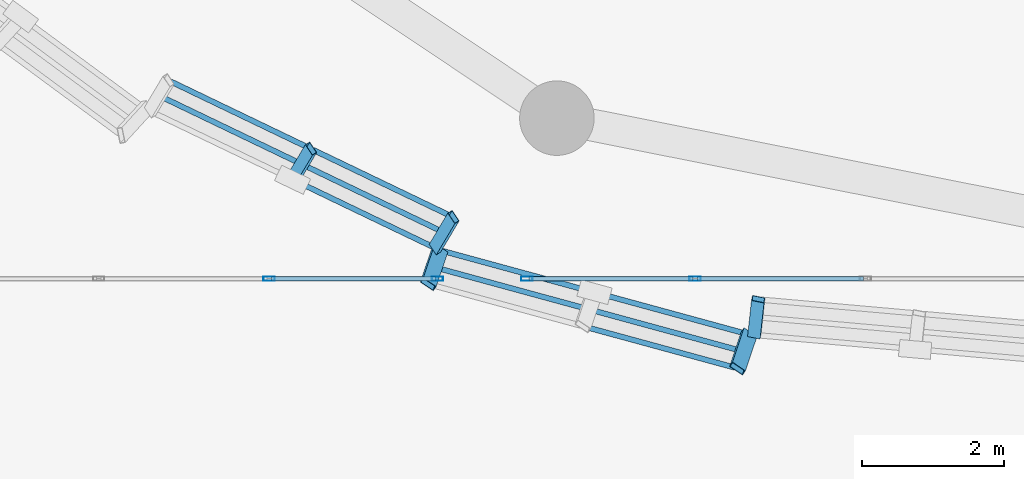
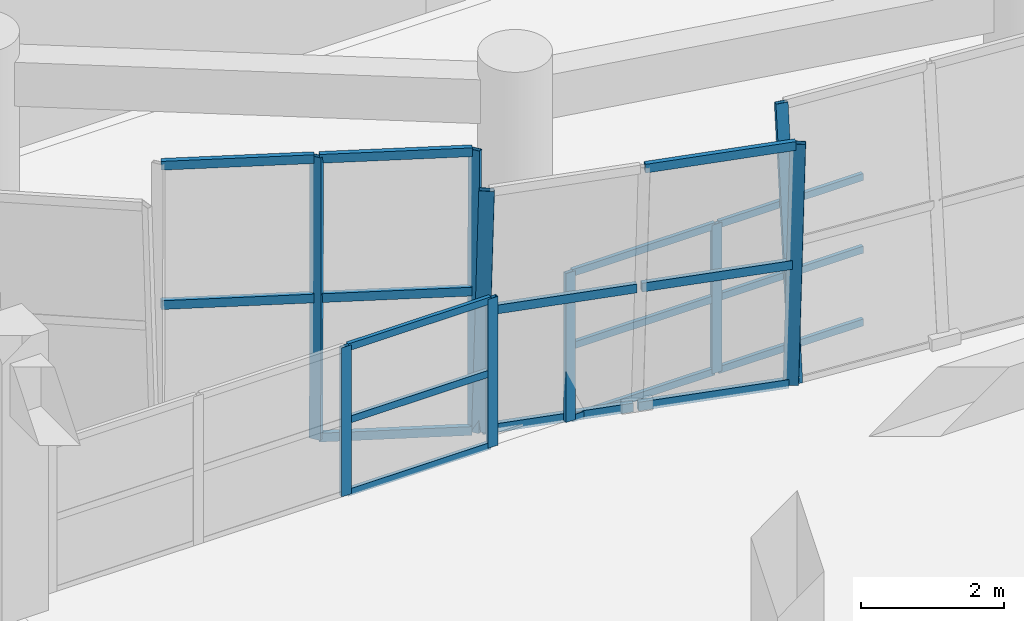
# One storey, part 20 of 72: 28 members, 5 elements without a shape of their own.
"""IFC4 building model written with IfcOpenShell, lengths in metres."""

from ifc_helpers import new_model, si_unit, direction, frame, origin, origin_2d, place, context, subcontext, project, spatial, hollow_rectangle, extrude, material, material_profile, profile_set, type_object, element, aggregate, save


model = new_model("IFC4")

# Units and contexts
model_context = context("Model", 3, precision=1e-05, world=origin(), true_north=direction((0.0, 1.0)))
body_context = subcontext(model_context, "Body", "Model", "MODEL_VIEW")
ifc_project = project(units=[si_unit("LENGTHUNIT", "METRE"), si_unit("AREAUNIT", "SQUARE_METRE"), si_unit("VOLUMEUNIT", "CUBIC_METRE"), si_unit("PLANEANGLEUNIT", "RADIAN"), si_unit("MASSUNIT", "GRAM", prefix="KILO")], contexts=[model_context])

# Site, building, storey
site_placement = place(None, origin())
site = spatial("IfcSite", under=ifc_project, at=site_placement, CompositionType="ELEMENT")
building_placement = place(site_placement, origin())
building = spatial("IfcBuilding", under=site, at=building_placement, Name="Korsvaeld Concert Hall", CompositionType="ELEMENT")
storey_placement = place(building_placement, origin())
storey = spatial("IfcBuildingStorey", under=building, at=storey_placement, Name="L00", CompositionType="ELEMENT", Elevation=0.0)

# Curtain wall, members
ifc_material_1 = material(Name="Anodised bronze and ceramic-fritted safety glass", Category="glass")
curtain_wall_type_1 = type_object("IfcCurtainWallType", Name="CW-TYPE-12", PredefinedType="USERDEFINED", material=ifc_material_1)
curtain_wall_1_placement = place(storey_placement, origin())
curtain_wall_1 = element("IfcCurtainWall", 1, at=curtain_wall_1_placement, inside=storey, type_object=curtain_wall_type_1, Name="Glazed foyer acoustic screen L00-20", ObjectType="CURTAIN WALL", PredefinedType="USERDEFINED")
ifc_material_2 = material(Name="Anodised architectural bronze aluminium", Category="aluminium")
ifc_material_profile_1 = material_profile(ifc_material_2, hollow_rectangle(XDim=0.06005859375, YDim=0.159912109375, WallThickness=0.00390625, at=origin_2d()), Name="CWM 160x60x4")
ifc_profile_set_1 = profile_set([ifc_material_profile_1], Name="Anodised architectural bronze aluminium")
member_type_1 = type_object("IfcMemberType", Name="CWM-ALUM-160x60", PredefinedType="MULLION", material=ifc_profile_set_1)
member_1_placement = place(storey_placement, frame((72.60009765625, 43.199951171875, 0.0), z_axis=(0.0, 0.0, 1.0), x_axis=(0.0, 1.0, 0.0)))
member_1 = element("IfcMember", 2, at=member_1_placement, type_object=member_type_1, Name="CW-12 mullion 3", PredefinedType="MULLION", context=body_context, shape_type="SweptSolid", body=[
    extrude(hollow_rectangle(XDim=0.06005859375, YDim=0.159912109375, WallThickness=0.00390625, at=origin_2d()), origin(), (0.0, 0.0, 1.0), 2.550048828125),
])
member_2_placement = place(storey_placement, frame((74.969970703125, 43.199951171875, 0.0), z_axis=(0.0, 0.0, 1.0), x_axis=(0.0, 1.0, 0.0)))
member_2 = element("IfcMember", 3, at=member_2_placement, type_object=member_type_1, Name="CW-12 mullion 4", PredefinedType="MULLION", context=body_context, shape_type="SweptSolid", body=[
    extrude(hollow_rectangle(XDim=0.06005859375, YDim=0.159912109375, WallThickness=0.00390625, at=origin_2d()), origin(), (0.0, 0.0, 1.0), 2.550048828125),
])

curtain_wall_type_2 = type_object("IfcCurtainWallType", Name="CW-TYPE-13", PredefinedType="USERDEFINED", material=ifc_material_1)
curtain_wall_2_placement = place(storey_placement, origin())
curtain_wall_2 = element("IfcCurtainWall", 4, at=curtain_wall_2_placement, inside=storey, type_object=curtain_wall_type_2, Name="Glazed foyer acoustic screen L00-21", ObjectType="CURTAIN WALL", PredefinedType="USERDEFINED")
member_3_placement = place(storey_placement, frame((76.22998046875, 43.199951171875, 0.0), z_axis=(0.0, 0.0, 1.0), x_axis=(0.0, 1.0, 0.0)))
member_3 = element("IfcMember", 5, at=member_3_placement, type_object=member_type_1, Name="CW-13 mullion 1", PredefinedType="MULLION", context=body_context, shape_type="SweptSolid", body=[
    extrude(hollow_rectangle(XDim=0.06005859375, YDim=0.159912109375, WallThickness=0.00390625, at=origin_2d()), origin(), (0.0, 0.0, 1.0), 2.550048828125),
])
member_4_placement = place(storey_placement, frame((78.60009765625, 43.199951171875, 0.0), z_axis=(0.0, 0.0, 1.0), x_axis=(0.0, 1.0, 0.0)))
member_4 = element("IfcMember", 6, at=member_4_placement, type_object=member_type_1, Name="CW-13 mullion 2", PredefinedType="MULLION", context=body_context, shape_type="SweptSolid", body=[
    extrude(hollow_rectangle(XDim=0.06005859375, YDim=0.159912109375, WallThickness=0.00390625, at=origin_2d()), origin(), (0.0, 0.0, 1.0), 2.550048828125),
])

curtain_wall_type_3 = type_object("IfcCurtainWallType", Name="CW-TYPE-06", PredefinedType="USERDEFINED", material=ifc_material_1)
curtain_wall_3_placement = place(storey_placement, origin())
curtain_wall_3 = element("IfcCurtainWall", 7, at=curtain_wall_3_placement, inside=storey, type_object=curtain_wall_type_3, Name="Crystal curtain-wall facet L00 F22", ObjectType="CURTAIN WALL", PredefinedType="USERDEFINED")
ifc_material_profile_2 = material_profile(ifc_material_2, hollow_rectangle(XDim=0.074951171875, YDim=0.179931640625, WallThickness=0.0048828125, at=origin_2d()), Name="CWM 180x75x5")
ifc_profile_set_2 = profile_set([ifc_material_profile_2], Name="Anodised architectural bronze aluminium")
member_type_2 = type_object("IfcMemberType", Name="CWM-BRONZE-180x75", PredefinedType="MULLION", material=ifc_profile_set_2)
member_5_placement = place(storey_placement, frame((72.9287109375, 44.59326171875, 0.0), z_axis=(0.057881578452, 0.097299528979, 0.993570593635), x_axis=(-0.829903337454, -0.548492598396, 0.102060374227)))
member_5 = element("IfcMember", 8, at=member_5_placement, type_object=member_type_2, Name="CW-CRYS-L00-F22 crystal mullion 2", PredefinedType="MULLION", context=body_context, shape_type="SweptSolid", body=[
    extrude(hollow_rectangle(XDim=0.074951171875, YDim=0.179931640625, WallThickness=0.0048828125, at=origin_2d()), origin(), (0.0, 0.0, 1.0), 4.509033203125),
])
member_6_placement = place(storey_placement, frame((74.934814453125, 43.630126953125, 0.0), z_axis=(0.057881883309, 0.097245895625, 0.993575826683), x_axis=(-0.830039893738, -0.548293630811, 0.102018964978)))
member_6 = element("IfcMember", 9, at=member_6_placement, type_object=member_type_2, Name="CW-CRYS-L00-F22 crystal mullion 3", PredefinedType="MULLION", context=body_context, shape_type="SweptSolid", body=[
    extrude(hollow_rectangle(XDim=0.074951171875, YDim=0.179931640625, WallThickness=0.0048828125, at=origin_2d()), origin(), (0.0, 0.0, 1.0), 4.509033203125),
])

# Curtain wall, member
curtain_wall_type_4 = type_object("IfcCurtainWallType", Name="CW-TYPE-08", PredefinedType="USERDEFINED", material=ifc_material_1)
curtain_wall_4_placement = place(storey_placement, origin())
curtain_wall_4 = element("IfcCurtainWall", 10, at=curtain_wall_4_placement, inside=storey, type_object=curtain_wall_type_4, Name="Crystal curtain-wall facet L00 F24", ObjectType="CURTAIN WALL", PredefinedType="USERDEFINED")
member_7_placement = place(storey_placement, frame((79.433349609375, 42.404052734375, 0.0), z_axis=(0.012291079238, 0.112514813463, 0.993574026493), x_axis=(-0.195096578043, -0.974282401247, 0.112743637766)))
member_7 = element("IfcMember", 11, at=member_7_placement, type_object=member_type_2, Name="CW-CRYS-L00-F24 crystal mullion 1", PredefinedType="MULLION", context=body_context, shape_type="SweptSolid", body=[
    extrude(hollow_rectangle(XDim=0.074951171875, YDim=0.179931640625, WallThickness=0.0048828125, at=origin_2d()), origin(), (0.0, 0.0, 1.0), 4.509033203125),
])
aggregate(curtain_wall_4, [member_7])

# Curtain wall, members
curtain_wall_type_5 = type_object("IfcCurtainWallType", Name="CW-TYPE-07", PredefinedType="USERDEFINED", material=ifc_material_1)
curtain_wall_5_placement = place(storey_placement, origin())
curtain_wall_5 = element("IfcCurtainWall", 12, at=curtain_wall_5_placement, inside=storey, type_object=curtain_wall_type_5, Name="Crystal curtain-wall facet L00 F23", ObjectType="CURTAIN WALL", PredefinedType="USERDEFINED")
ifc_material_profile_3 = material_profile(ifc_material_2, hollow_rectangle(XDim=0.074951171875, YDim=0.219970703125, WallThickness=0.006103515625, at=origin_2d()), Name="CWM 220x75x6")
ifc_profile_set_3 = profile_set([ifc_material_profile_3], Name="Anodised architectural bronze aluminium")
member_type_3 = type_object("IfcMemberType", Name="CWM-BRONZE-220x75", PredefinedType="MULLION", material=ifc_profile_set_3)
member_8_placement = place(storey_placement, frame((75.0048828125, 43.60400390625, 0.0), z_axis=(-0.036223366426, -0.107262315231, 0.993570663544), x_axis=(0.555805308388, 0.824105020106, 0.109230833577)))
member_8 = element("IfcMember", 13, at=member_8_placement, type_object=member_type_3, Name="CW-CRYS-L00-F23 crystal mullion 1", PredefinedType="MULLION", context=body_context, shape_type="SweptSolid", body=[
    extrude(hollow_rectangle(XDim=0.074951171875, YDim=0.219970703125, WallThickness=0.006103515625, at=origin_2d()), origin(), (0.0, 0.0, 1.0), 4.509033203125),
])
member_9_placement = place(storey_placement, frame((79.359619140625, 42.417236328125, 0.0), z_axis=(-0.036223366426, -0.107262315231, 0.993570663544), x_axis=(0.555805308388, 0.824105020106, 0.109230833577)))
member_9 = element("IfcMember", 14, at=member_9_placement, type_object=member_type_3, Name="CW-CRYS-L00-F23 crystal mullion 3", PredefinedType="MULLION", context=body_context, shape_type="SweptSolid", body=[
    extrude(hollow_rectangle(XDim=0.074951171875, YDim=0.219970703125, WallThickness=0.006103515625, at=origin_2d()), origin(), (0.0, 0.0, 1.0), 4.509033203125),
])

# Member
ifc_material_profile_4 = material_profile(ifc_material_2, hollow_rectangle(XDim=0.06005859375, YDim=0.1201171875, WallThickness=0.00390625, at=origin_2d()), Name="CWT 120x60x4")
ifc_profile_set_4 = profile_set([ifc_material_profile_4], Name="Anodised architectural bronze aluminium")
member_type_4 = type_object("IfcMemberType", Name="CWT-ALUM-120x60", PredefinedType="USERDEFINED", material=ifc_profile_set_4)
member_10_placement = place(storey_placement, frame((72.6298828125, 43.199951171875, 0.030029296875), z_axis=(1.0, 0.0, 0.0), x_axis=(0.0, 1.0, 0.0)))
member_10 = element("IfcMember", 15, at=member_10_placement, type_object=member_type_4, Name="CW-12 transom 3.1", ObjectType="TRANSOM", PredefinedType="USERDEFINED", context=body_context, shape_type="SweptSolid", body=[
    extrude(hollow_rectangle(XDim=0.06005859375, YDim=0.1201171875, WallThickness=0.00390625, at=origin_2d()), origin(), (0.0, 0.0, 1.0), 2.31005859375),
])

member_11_placement = place(storey_placement, frame((72.6298828125, 43.199951171875, 1.27490234375), z_axis=(1.0, 0.0, 0.0), x_axis=(0.0, 1.0, 0.0)))
member_11 = element("IfcMember", 16, at=member_11_placement, type_object=member_type_4, Name="CW-12 transom 3.2", ObjectType="TRANSOM", PredefinedType="USERDEFINED", context=body_context, shape_type="SweptSolid", body=[
    extrude(hollow_rectangle(XDim=0.06005859375, YDim=0.1201171875, WallThickness=0.00390625, at=origin_2d()), origin(), (0.0, 0.0, 1.0), 2.31005859375),
])

member_12_placement = place(storey_placement, frame((72.6298828125, 43.199951171875, 2.52001953125), z_axis=(1.0, 0.0, 0.0), x_axis=(0.0, 1.0, 0.0)))
member_12 = element("IfcMember", 17, at=member_12_placement, type_object=member_type_4, Name="CW-12 transom 3.3", ObjectType="TRANSOM", PredefinedType="USERDEFINED", context=body_context, shape_type="SweptSolid", body=[
    extrude(hollow_rectangle(XDim=0.06005859375, YDim=0.1201171875, WallThickness=0.00390625, at=origin_2d()), origin(), (0.0, 0.0, 1.0), 2.31005859375),
])

aggregate(curtain_wall_1, [member_1, member_2, member_10, member_11, member_12])

member_13_placement = place(storey_placement, frame((76.260009765625, 43.199951171875, 0.030029296875), z_axis=(1.0, 0.0, 0.0), x_axis=(0.0, 1.0, 0.0)))
member_13 = element("IfcMember", 18, at=member_13_placement, type_object=member_type_4, Name="CW-13 transom 1.1", ObjectType="TRANSOM", PredefinedType="USERDEFINED", context=body_context, shape_type="SweptSolid", body=[
    extrude(hollow_rectangle(XDim=0.06005859375, YDim=0.1201171875, WallThickness=0.00390625, at=origin_2d()), origin(), (0.0, 0.0, 1.0), 2.31005859375),
])

member_14_placement = place(storey_placement, frame((76.260009765625, 43.199951171875, 1.27490234375), z_axis=(1.0, 0.0, 0.0), x_axis=(0.0, 1.0, 0.0)))
member_14 = element("IfcMember", 19, at=member_14_placement, type_object=member_type_4, Name="CW-13 transom 1.2", ObjectType="TRANSOM", PredefinedType="USERDEFINED", context=body_context, shape_type="SweptSolid", body=[
    extrude(hollow_rectangle(XDim=0.06005859375, YDim=0.1201171875, WallThickness=0.00390625, at=origin_2d()), origin(), (0.0, 0.0, 1.0), 2.31005859375),
])

member_15_placement = place(storey_placement, frame((76.260009765625, 43.199951171875, 2.52001953125), z_axis=(1.0, 0.0, 0.0), x_axis=(0.0, 1.0, 0.0)))
member_15 = element("IfcMember", 20, at=member_15_placement, type_object=member_type_4, Name="CW-13 transom 1.3", ObjectType="TRANSOM", PredefinedType="USERDEFINED", context=body_context, shape_type="SweptSolid", body=[
    extrude(hollow_rectangle(XDim=0.06005859375, YDim=0.1201171875, WallThickness=0.00390625, at=origin_2d()), origin(), (0.0, 0.0, 1.0), 2.31005859375),
])

member_16_placement = place(storey_placement, frame((78.6298828125, 43.199951171875, 0.030029296875), z_axis=(1.0, 0.0, 0.0), x_axis=(0.0, 1.0, 0.0)))
member_16 = element("IfcMember", 21, at=member_16_placement, type_object=member_type_4, Name="CW-13 transom 2.1", ObjectType="TRANSOM", PredefinedType="USERDEFINED", context=body_context, shape_type="SweptSolid", body=[
    extrude(hollow_rectangle(XDim=0.06005859375, YDim=0.1201171875, WallThickness=0.00390625, at=origin_2d()), origin(), (0.0, 0.0, 1.0), 2.340087890625),
])

member_17_placement = place(storey_placement, frame((78.6298828125, 43.199951171875, 1.27490234375), z_axis=(1.0, 0.0, 0.0), x_axis=(0.0, 1.0, 0.0)))
member_17 = element("IfcMember", 22, at=member_17_placement, type_object=member_type_4, Name="CW-13 transom 2.2", ObjectType="TRANSOM", PredefinedType="USERDEFINED", context=body_context, shape_type="SweptSolid", body=[
    extrude(hollow_rectangle(XDim=0.06005859375, YDim=0.1201171875, WallThickness=0.00390625, at=origin_2d()), origin(), (0.0, 0.0, 1.0), 2.340087890625),
])

member_18_placement = place(storey_placement, frame((78.6298828125, 43.199951171875, 2.52001953125), z_axis=(1.0, 0.0, 0.0), x_axis=(0.0, 1.0, 0.0)))
member_18 = element("IfcMember", 23, at=member_18_placement, type_object=member_type_4, Name="CW-13 transom 2.3", ObjectType="TRANSOM", PredefinedType="USERDEFINED", context=body_context, shape_type="SweptSolid", body=[
    extrude(hollow_rectangle(XDim=0.06005859375, YDim=0.1201171875, WallThickness=0.00390625, at=origin_2d()), origin(), (0.0, 0.0, 1.0), 2.340087890625),
])

aggregate(curtain_wall_2, [member_3, member_4, member_13, member_14, member_15, member_16, member_17, member_18])

ifc_material_profile_5 = material_profile(ifc_material_2, hollow_rectangle(XDim=0.074951171875, YDim=0.14990234375, WallThickness=0.0048828125, at=origin_2d()), Name="CWT 150x75x5")
ifc_profile_set_5 = profile_set([ifc_material_profile_5], Name="Anodised architectural bronze aluminium")
member_type_5 = type_object("IfcMemberType", Name="CWT-BRONZE-150x75", PredefinedType="USERDEFINED", material=ifc_profile_set_5)
member_19_placement = place(storey_placement, frame((71.086669921875, 45.759765625, 2.239990234375), z_axis=(0.901464591462, -0.432852850679, 0.0), x_axis=(0.432852850679, 0.901464591462, 0.0)))
member_19 = element("IfcMember", 24, at=member_19_placement, type_object=member_type_5, Name="CW-CRYS-L00-F22 crystal transom 1.2", ObjectType="TRANSOM", PredefinedType="USERDEFINED", context=body_context, shape_type="SweptSolid", body=[
    extrude(hollow_rectangle(XDim=0.074951171875, YDim=0.14990234375, WallThickness=0.0048828125, at=origin_2d()), origin(), (0.0, 0.0, 1.0), 2.150634765625),
])

member_20_placement = place(storey_placement, frame((71.21533203125, 45.97607421875, 4.449951171875), z_axis=(0.901464591462, -0.432852850679, 0.0), x_axis=(0.432852850679, 0.901464591462, 0.0)))
member_20 = element("IfcMember", 25, at=member_20_placement, type_object=member_type_5, Name="CW-CRYS-L00-F22 crystal transom 1.3", ObjectType="TRANSOM", PredefinedType="USERDEFINED", context=body_context, shape_type="SweptSolid", body=[
    extrude(hollow_rectangle(XDim=0.074951171875, YDim=0.14990234375, WallThickness=0.0048828125, at=origin_2d()), origin(), (0.0, 0.0, 1.0), 2.150634765625),
])

member_21_placement = place(storey_placement, frame((72.964111328125, 44.580078125, 0.030029296875), z_axis=(0.901464591462, -0.432852850679, 0.0), x_axis=(0.432852850679, 0.901464591462, 0.0)))
member_21 = element("IfcMember", 26, at=member_21_placement, type_object=member_type_5, Name="CW-CRYS-L00-F22 crystal transom 2.1", ObjectType="TRANSOM", PredefinedType="USERDEFINED", context=body_context, shape_type="SweptSolid", body=[
    extrude(hollow_rectangle(XDim=0.074951171875, YDim=0.14990234375, WallThickness=0.0048828125, at=origin_2d()), origin(), (0.0, 0.0, 1.0), 2.150634765625),
])

member_22_placement = place(storey_placement, frame((73.093017578125, 44.79638671875, 2.239990234375), z_axis=(0.901443318855, -0.432897150478, 0.0), x_axis=(0.432897150478, 0.901443318855, 0.0)))
member_22 = element("IfcMember", 27, at=member_22_placement, type_object=member_type_5, Name="CW-CRYS-L00-F22 crystal transom 2.2", ObjectType="TRANSOM", PredefinedType="USERDEFINED", context=body_context, shape_type="SweptSolid", body=[
    extrude(hollow_rectangle(XDim=0.074951171875, YDim=0.14990234375, WallThickness=0.0048828125, at=origin_2d()), origin(), (0.0, 0.0, 1.0), 2.150390625),
])

member_23_placement = place(storey_placement, frame((73.2216796875, 45.0126953125, 4.449951171875), z_axis=(0.901508884705, -0.432760592935, 0.0), x_axis=(0.432760592935, 0.901508884705, 0.0)))
member_23 = element("IfcMember", 28, at=member_23_placement, type_object=member_type_5, Name="CW-CRYS-L00-F22 crystal transom 2.3", ObjectType="TRANSOM", PredefinedType="USERDEFINED", context=body_context, shape_type="SweptSolid", body=[
    extrude(hollow_rectangle(XDim=0.074951171875, YDim=0.14990234375, WallThickness=0.0048828125, at=origin_2d()), origin(), (0.0, 0.0, 1.0), 2.150634765625),
])

aggregate(curtain_wall_3, [member_5, member_6, member_19, member_20, member_21, member_22, member_23])

member_24_placement = place(storey_placement, frame((75.0400390625, 43.5908203125, 0.030029296875), z_axis=(0.964833511963, -0.262861739689, 0.0), x_axis=(0.262861739689, 0.964833511963, 0.0)))
member_24 = element("IfcMember", 29, at=member_24_placement, type_object=member_type_5, Name="CW-CRYS-L00-F23 crystal transom 1.1", ObjectType="TRANSOM", PredefinedType="USERDEFINED", context=body_context, shape_type="SweptSolid", body=[
    extrude(hollow_rectangle(XDim=0.074951171875, YDim=0.14990234375, WallThickness=0.0048828125, at=origin_2d()), origin(), (0.0, 0.0, 1.0), 2.181640625),
])

member_25_placement = place(storey_placement, frame((74.95947265625, 43.352294921875, 2.239990234375), z_axis=(0.964805126409, -0.262965906641, 0.0), x_axis=(0.262965906641, 0.964805126409, 0.0)))
member_25 = element("IfcMember", 30, at=member_25_placement, type_object=member_type_5, Name="CW-CRYS-L00-F23 crystal transom 1.2", ObjectType="TRANSOM", PredefinedType="USERDEFINED", context=body_context, shape_type="SweptSolid", body=[
    extrude(hollow_rectangle(XDim=0.074951171875, YDim=0.14990234375, WallThickness=0.0048828125, at=origin_2d()), origin(), (0.0, 0.0, 1.0), 2.181884765625),
])

member_26_placement = place(storey_placement, frame((77.21728515625, 42.99755859375, 0.030029296875), z_axis=(0.964812863187, -0.26293751925, 0.0), x_axis=(0.26293751925, 0.964812863187, 0.0)))
member_26 = element("IfcMember", 31, at=member_26_placement, type_object=member_type_5, Name="CW-CRYS-L00-F23 crystal transom 2.1", ObjectType="TRANSOM", PredefinedType="USERDEFINED", context=body_context, shape_type="SweptSolid", body=[
    extrude(hollow_rectangle(XDim=0.074951171875, YDim=0.14990234375, WallThickness=0.0048828125, at=origin_2d()), origin(), (0.0, 0.0, 1.0), 2.181884765625),
])

member_27_placement = place(storey_placement, frame((77.13671875, 42.759033203125, 2.239990234375), z_axis=(0.964812863187, -0.26293751925, 0.0), x_axis=(0.26293751925, 0.964812863187, 0.0)))
member_27 = element("IfcMember", 32, at=member_27_placement, type_object=member_type_5, Name="CW-CRYS-L00-F23 crystal transom 2.2", ObjectType="TRANSOM", PredefinedType="USERDEFINED", context=body_context, shape_type="SweptSolid", body=[
    extrude(hollow_rectangle(XDim=0.074951171875, YDim=0.14990234375, WallThickness=0.0048828125, at=origin_2d()), origin(), (0.0, 0.0, 1.0), 2.181884765625),
])

member_28_placement = place(storey_placement, frame((77.05615234375, 42.520263671875, 4.449951171875), z_axis=(0.964841242841, -0.262833361873, 0.0), x_axis=(0.262833361873, 0.964841242841, 0.0)))
member_28 = element("IfcMember", 33, at=member_28_placement, type_object=member_type_5, Name="CW-CRYS-L00-F23 crystal transom 2.3", ObjectType="TRANSOM", PredefinedType="USERDEFINED", context=body_context, shape_type="SweptSolid", body=[
    extrude(hollow_rectangle(XDim=0.074951171875, YDim=0.14990234375, WallThickness=0.0048828125, at=origin_2d()), origin(), (0.0, 0.0, 1.0), 2.181884765625),
])

aggregate(curtain_wall_5, [member_8, member_9, member_24, member_25, member_26, member_27, member_28])

save(model, "model.ifc")
